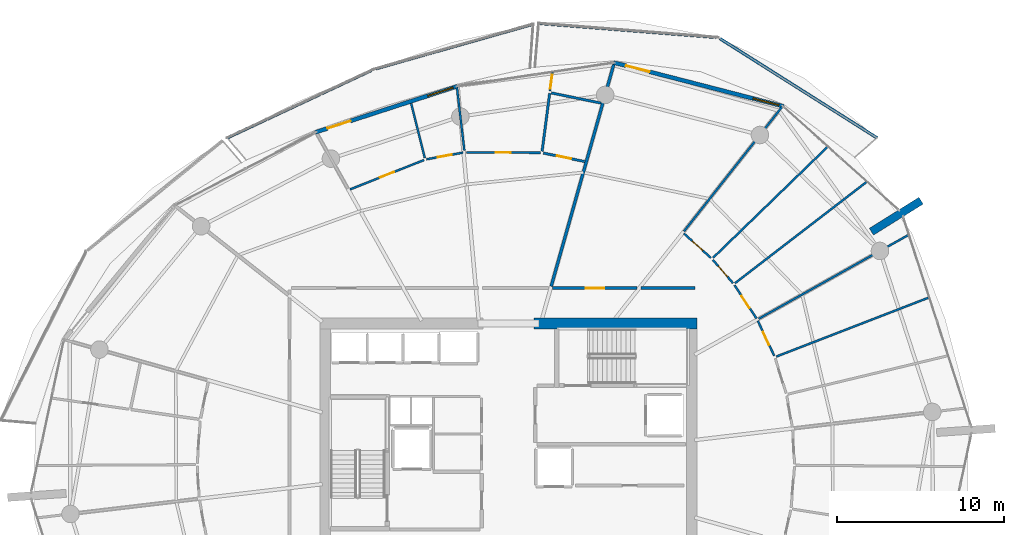
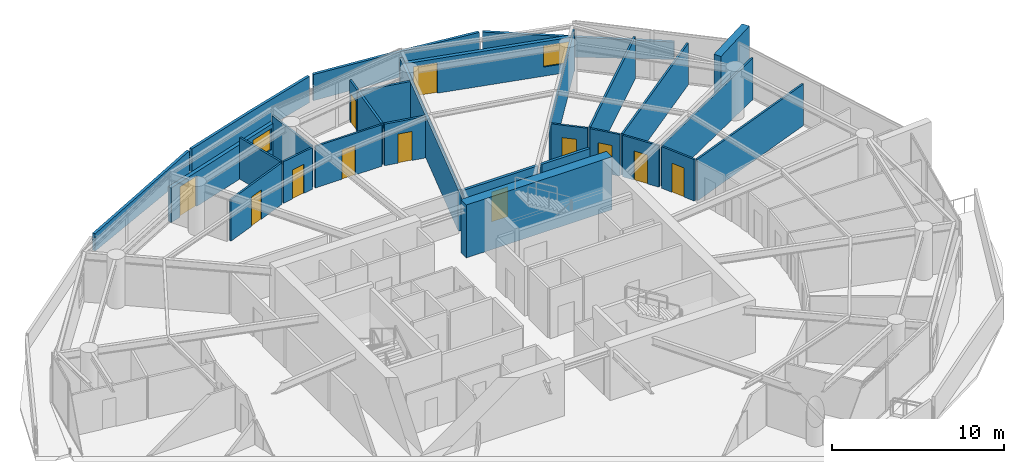
# One storey, part 15 of 21: 29 walls, 12 doors, 2 windows, 14 openings.
"""IFC4 building model written with IfcOpenShell, lengths in metres."""

from ifc_helpers import new_model, si_unit, direction, frame, frame_2d, origin, place, context, subcontext, project, spatial, polyline, rectangle, outline, extrude, material, layer, layer_set, type_object, element, fill, save


model = new_model("IFC4")

# Units and contexts
model_context = context("Model", 3, precision=1e-05, world=origin(), true_north=direction((0.0, 1.0)))
body_context = subcontext(model_context, "Body", "Model", "MODEL_VIEW")
ifc_project = project(units=[si_unit("LENGTHUNIT", "METRE"), si_unit("AREAUNIT", "SQUARE_METRE"), si_unit("VOLUMEUNIT", "CUBIC_METRE"), si_unit("PLANEANGLEUNIT", "RADIAN"), si_unit("MASSUNIT", "GRAM", prefix="KILO")], contexts=[model_context])

# Site, building, storey
site_placement = place(None, origin())
site = spatial("IfcSite", under=ifc_project, at=site_placement, CompositionType="ELEMENT")
building_placement = place(site_placement, origin())
building = spatial("IfcBuilding", under=site, at=building_placement, Name="Kazma Halo Residences", CompositionType="ELEMENT")
storey_placement = place(building_placement, frame((0.0, 0.0, 187.800048828125)))
storey = spatial("IfcBuildingStorey", under=building, at=storey_placement, Name="L47", CompositionType="ELEMENT", Elevation=187.800048828125)

# Walls
ifc_material_1 = material(Name="White Concrete C50/60 Balustrade", Category="concrete")
ifc_layer_1 = layer(ifc_material_1, 0.179931640625)
ifc_layer_set_1 = layer_set([ifc_layer_1], Name="White Concrete C50/60 Balustrade")
wall_type_1 = type_object("IfcWallType", Name="WL-BAL-WAVE-180", PredefinedType="PARAPET", material=ifc_layer_set_1)
wall_1_placement = place(storey_placement, frame((70.4599609375, 61.421142578125, 0.0), z_axis=(0.0, 0.0, 1.0), x_axis=(-0.845278126761, 0.53432657469, 0.0)))
element("IfcWall", 1, at=wall_1_placement, inside=storey, type_object=wall_type_1, Name="L47 white wave balustrade wall NE.1", PredefinedType="PARAPET", context=body_context, shape_type="SweptSolid", body=[
    extrude(outline(polyline([(0.0, 0.0), (11.123046875, 0.0), (11.123046875, 1.6318359375), (5.5615234375, 1.41796875), (0.0, 1.23291015625), (0.0, 0.0)])), frame((0.0, 0.08984375, 0.0), z_axis=(0.0, -1.0, 0.0), x_axis=(1.0, 0.0, 0.0)), (0.0, 0.0, 1.0), 0.179931640625),
])
wall_2_placement = place(storey_placement, frame((60.8369140625, 67.43798828125, 0.0), z_axis=(0.0, 0.0, 1.0), x_axis=(-0.996896537744, 0.078722887613, 0.0)))
element("IfcWall", 2, at=wall_2_placement, inside=storey, type_object=wall_type_1, Name="L47 white wave balustrade wall NE.2", PredefinedType="PARAPET", context=body_context, shape_type="SweptSolid", body=[
    extrude(outline(polyline([(0.0, 0.0), (10.640380859375, 0.0), (10.640380859375, 1.85986328125), (5.3203125, 1.7978515625), (0.0, 1.6318359375), (0.0, 0.0)])), frame((0.0, 0.08984375, 0.0), z_axis=(0.0, -1.0, 0.0), x_axis=(1.0, 0.0, 0.0)), (0.0, 0.0, 1.0), 0.179931640625),
])
wall_3_placement = place(storey_placement, frame((49.9033203125, 68.229736328125, 0.0), z_axis=(0.0, 0.0, 1.0), x_axis=(-0.962080224774, -0.272766642205, 0.0)))
element("IfcWall", 3, at=wall_3_placement, inside=storey, type_object=wall_type_1, Name="L47 white wave balustrade wall NNW.1", PredefinedType="PARAPET", context=body_context, shape_type="SweptSolid", body=[
    extrude(outline(polyline([(0.0, 0.0), (9.802734375, 0.0), (9.802490234375, 1.6318359375), (4.9013671875, 1.7978515625), (0.0, 1.85986328125), (0.0, 0.0)])), frame((0.0, 0.08984375, 0.0), z_axis=(0.0, -1.0, 0.0), x_axis=(1.0, 0.0, 0.0)), (0.0, 0.0, 1.0), 0.179931640625),
])
wall_4_placement = place(storey_placement, frame((40.248291015625, 65.472412109375, 0.0), z_axis=(0.0, 0.0, 1.0), x_axis=(-0.905654672332, -0.42401605451, 0.0)))
element("IfcWall", 4, at=wall_4_placement, inside=storey, type_object=wall_type_1, Name="L47 white wave balustrade wall NNW.2", PredefinedType="PARAPET", context=body_context, shape_type="SweptSolid", body=[
    extrude(outline(polyline([(0.0, 0.0), (9.537353515625, 0.0), (9.537109375, 1.23291015625), (4.7685546875, 1.41796875), (0.0, 1.6318359375), (0.0, 0.0)])), frame((0.0, 0.08984375, 0.0), z_axis=(0.0, -1.0, 0.0), x_axis=(1.0, 0.0, 0.0)), (0.0, 0.0, 1.0), 0.179931640625),
])
ifc_material_2 = material(Name="Pale Concrete C60/75", Category="concrete")
ifc_layer_2 = layer(ifc_material_2, 0.47998046875)
ifc_layer_set_2 = layer_set([ifc_layer_2], Name="Pale Concrete C60/75")
wall_type_2 = type_object("IfcWallType", Name="WL-BLADE-480", PredefinedType="SOLIDWALL", material=ifc_layer_set_2)
wall_5_placement = place(storey_placement, frame((70.11376953125, 55.818115234375, 0.0), z_axis=(0.0, 0.0, 1.0), x_axis=(0.848033572426, 0.529942506352, 0.0)))
element("IfcWall", 5, at=wall_5_placement, inside=storey, type_object=wall_type_2, Name="L47 pale concrete structural blade fin wall BW-01", PredefinedType="SOLIDWALL", context=body_context, shape_type="SweptSolid", body=[
    extrude(rectangle(XDim=3.5, YDim=0.47998046875, at=frame_2d((1.75, 0.0))), origin(), (0.0, 0.0, 1.0), 3.75),
])
ifc_material_3 = material(Name="Concrete C60/75", Category="concrete")
ifc_layer_3 = layer(ifc_material_3, 0.64990234375)
ifc_layer_set_3 = layer_set([ifc_layer_3], Name="Concrete C60/75")
wall_type_3 = type_object("IfcWallType", Name="WL-CORE-650", PredefinedType="SHEAR", material=ifc_layer_set_3)
wall_6_placement = place(storey_placement, frame((49.949951171875, 50.324951171875, 0.0), z_axis=(0.0, 0.0, 1.0), x_axis=(1.0, 0.0, 0.0)))
element("IfcWall", 6, at=wall_6_placement, inside=storey, type_object=wall_type_3, Name="L47 central core shear wall NE", PredefinedType="SHEAR", context=body_context, shape_type="SweptSolid", body=[
    extrude(rectangle(XDim=9.75, YDim=0.64990234375, at=frame_2d((4.875, 0.0))), origin(), (0.0, 0.0, 1.0), 3.75),
])
ifc_material_4 = material(Name="Acoustic Twin-Stud Gypsum")
ifc_layer_4 = layer(ifc_material_4, 0.179931640625)
ifc_layer_set_4 = layer_set([ifc_layer_4], Name="Acoustic Twin-Stud Gypsum")
wall_type_4 = type_object("IfcWallType", Name="WL-DEM-180", PredefinedType="PARTITIONING", material=ifc_layer_set_4)
wall_7_placement = place(storey_placement, frame((50.97705078125, 52.555908203125, 0.0), z_axis=(0.0, 0.0, 1.0), x_axis=(0.271443307373, 0.962454430548, 0.0)))
element("IfcWall", 7, at=wall_7_placement, inside=storey, type_object=wall_type_4, Name="L47 apartment demising radial wall 02", PredefinedType="PARTITIONING", context=body_context, shape_type="SweptSolid", body=[
    extrude(rectangle(XDim=13.75927734375, YDim=0.179931640625, at=frame_2d((6.879638671875, 0.0))), origin(), (0.0, 0.0, 1.0), 2.93994140625),
])

# Wall, opening, door
wall_8_placement = place(storey_placement, frame((56.1181640625, 52.449951171875, 0.0), z_axis=(0.0, 0.0, 1.0), x_axis=(-1.0, 0.0, 0.0)))
wall_8 = element("IfcWall", 8, at=wall_8_placement, inside=storey, type_object=wall_type_4, Name="L47 Apartment 3 entrance corridor wall", PredefinedType="PARTITIONING", context=body_context, shape_type="SweptSolid", body=[
    extrude(rectangle(XDim=5.051025390625, YDim=0.179931640625, at=frame_2d((2.525390625, 0.0))), origin(), (0.0, 0.0, 1.0), 2.93994140625),
])
opening_1_placement = place(wall_8_placement, frame((1.975341796875, 0.0, 0.0)))
opening_1 = element("IfcOpeningElement", 9, at=opening_1_placement, cuts=wall_8, Name="Opening DA-1100", PredefinedType="OPENING", context=body_context, shape_type="SweptSolid", body=[
    extrude(rectangle(XDim=1.10009765625, YDim=2.10009765625, at=frame_2d((0.550048828125, 1.050048828125))), frame((0.0, 0.099853515625, 0.0), z_axis=(0.0, -1.0, 0.0), x_axis=(1.0, 0.0, 0.0)), (0.0, 0.0, 1.0), 0.199951171875),
])
ifc_material_5 = material(Name="Acoustic Walnut Fire Leaf")
door_type_1 = type_object("IfcDoorType", Name="DR-FD60-1100", OperationType="NOTDEFINED", PredefinedType="DOOR", material=ifc_material_5)
door_1_placement = place(opening_1_placement, origin())
door_1 = element("IfcDoor", 10, at=door_1_placement, inside=storey, type_object=door_type_1, Name="L47 Apartment 3 entrance fire door", OperationType="SINGLE_SWING_LEFT", OverallHeight=2.10009765625, OverallWidth=1.10009765625, PredefinedType="DOOR", context=body_context, shape_type="SweptSolid", body=[
    extrude(rectangle(XDim=1.10009765625, YDim=2.10009765625, at=frame_2d((0.550048828125, 1.050048828125))), frame((0.0, 0.02490234375, 0.0), z_axis=(0.0, -1.0, 0.0), x_axis=(1.0, 0.0, 0.0)), (0.0, 0.0, 1.0), 0.050048828125),
])
fill(opening_1, door_1)

# Wall
wall_9_placement = place(storey_placement, frame((59.580078125, 52.449951171875, 0.0), z_axis=(0.0, 0.0, 1.0), x_axis=(-1.0, 0.0, 0.0)))
element("IfcWall", 11, at=wall_9_placement, inside=storey, type_object=wall_type_4, Name="L47 Apartment 3 inner wall 0", PredefinedType="PARTITIONING", context=body_context, shape_type="SweptSolid", body=[
    extrude(rectangle(XDim=3.221923828125, YDim=0.179931640625, at=frame_2d((1.61083984375, 0.0))), origin(), (0.0, 0.0, 1.0), 2.93994140625),
])

# Wall, openings, door, window
ifc_material_6 = material(Name="Insulated Pale-Metal Composite Wall")
ifc_layer_5 = layer(ifc_material_6, 0.239990234375)
ifc_layer_set_5 = layer_set([ifc_layer_5], Name="Insulated Pale-Metal Composite Wall")
wall_type_5 = type_object("IfcWallType", Name="WL-EXT-HOST-240", PredefinedType="SOLIDWALL", material=ifc_layer_set_5)
wall_10_placement = place(storey_placement, frame((64.860107421875, 63.31298828125, 0.0), z_axis=(0.0, 0.0, 1.0), x_axis=(-0.968374028006, 0.249502989727, 0.0)))
wall_10 = element("IfcWall", 12, at=wall_10_placement, inside=storey, type_object=wall_type_5, Name="L47 exterior terrace-access wall B02", PredefinedType="SOLIDWALL", context=body_context, shape_type="SweptSolid", body=[
    extrude(rectangle(XDim=10.494384765625, YDim=0.239990234375, at=frame_2d((5.2470703125, 0.0))), origin(), (0.0, 0.0, 1.0), 2.449951171875),
])
opening_2_placement = place(wall_10_placement, frame((8.2744140625, 0.0, 0.0)))
opening_2 = element("IfcOpeningElement", 13, at=opening_2_placement, cuts=wall_10, Name="Opening DTR-1600", PredefinedType="OPENING", context=body_context, shape_type="SweptSolid", body=[
    extrude(rectangle(XDim=1.449951171875, YDim=2.14990234375, at=frame_2d((0.72509765625, 1.074951171875))), frame((0.0, 0.1298828125, 0.0), z_axis=(0.0, -1.0, 0.0), x_axis=(1.0, 0.0, 0.0)), (0.0, 0.0, 1.0), 0.260009765625),
])
opening_3_placement = place(wall_10_placement, frame((0.280029296875, 0.0, 0.64990234375)))
opening_3 = element("IfcOpeningElement", 14, at=opening_3_placement, cuts=wall_10, Name="Opening W-1800", PredefinedType="OPENING", context=body_context, shape_type="SweptSolid", body=[
    extrude(rectangle(XDim=1.60009765625, YDim=1.5, at=frame_2d((0.800048828125, 0.75))), frame((0.0, 0.1298828125, 0.0), z_axis=(0.0, -1.0, 0.0), x_axis=(1.0, 0.0, 0.0)), (0.0, 0.0, 1.0), 0.260009765625),
])
ifc_material_7 = material(Name="Aluminium AW-6063 T6 Double-Glazed Terrace Door", Category="aluminium")
door_type_2 = type_object("IfcDoorType", Name="DR-EXT-TERR-1600", OperationType="NOTDEFINED", PredefinedType="DOOR", material=ifc_material_7)
door_2_placement = place(opening_2_placement, origin())
door_2 = element("IfcDoor", 15, at=door_2_placement, inside=storey, type_object=door_type_2, Name="L47 B02 balcony terrace door", OperationType="DOUBLE_DOOR_SLIDING", OverallHeight=2.14990234375, OverallWidth=1.449951171875, PredefinedType="DOOR", context=body_context, shape_type="SweptSolid", body=[
    extrude(rectangle(XDim=1.449951171875, YDim=2.14990234375, at=frame_2d((0.72509765625, 1.074951171875))), frame((0.0, 0.02490234375, 0.0), z_axis=(0.0, -1.0, 0.0), x_axis=(1.0, 0.0, 0.0)), (0.0, 0.0, 1.0), 0.050048828125),
])
fill(opening_2, door_2)
ifc_material_8 = material(Name="Clear Triple-Silver Low-E Glass in Aluminium AW-6063 T6 Frame", Category="aluminium")
window_type = type_object("IfcWindowType", Name="WIN-RES-1800", PartitioningType="DOUBLE_PANEL_VERTICAL", PredefinedType="WINDOW", material=ifc_material_8)
window_1_placement = place(opening_3_placement, origin())
window_1 = element("IfcWindow", 16, at=window_1_placement, inside=storey, type_object=window_type, Name="L47 B02 apartment window", OverallHeight=1.5, OverallWidth=1.60009765625, PartitioningType="SINGLE_PANEL", PredefinedType="WINDOW", context=body_context, shape_type="SweptSolid", body=[
    extrude(rectangle(XDim=1.60009765625, YDim=1.5, at=frame_2d((0.800048828125, 0.75))), frame((0.0, 0.030029296875, 0.0), z_axis=(0.0, -1.0, 0.0), x_axis=(1.0, 0.0, 0.0)), (0.0, 0.0, 1.0), 0.06005859375),
])
fill(opening_3, window_1)

wall_11_placement = place(storey_placement, frame((45.38427734375, 64.518798828125, 0.0), z_axis=(0.0, 0.0, 1.0), x_axis=(-0.951058543936, -0.309010753869, 0.0)))
wall_11 = element("IfcWall", 17, at=wall_11_placement, inside=storey, type_object=wall_type_5, Name="L47 exterior terrace-access wall B04", PredefinedType="SOLIDWALL", context=body_context, shape_type="SweptSolid", body=[
    extrude(rectangle(XDim=8.942138671875, YDim=0.239990234375, at=frame_2d((4.47119140625, 0.0))), origin(), (0.0, 0.0, 1.0), 2.449951171875),
])
opening_4_placement = place(wall_11_placement, frame((6.721923828125, 0.0, 0.0)))
opening_4 = element("IfcOpeningElement", 18, at=opening_4_placement, cuts=wall_11, Name="Opening DTR-1600", PredefinedType="OPENING", context=body_context, shape_type="SweptSolid", body=[
    extrude(rectangle(XDim=1.449951171875, YDim=2.14990234375, at=frame_2d((0.72509765625, 1.074951171875))), frame((0.0, 0.1298828125, 0.0), z_axis=(0.0, -1.0, 0.0), x_axis=(1.0, 0.0, 0.0)), (0.0, 0.0, 1.0), 0.260009765625),
])
opening_5_placement = place(wall_11_placement, frame((0.280029296875, 0.0, 0.64990234375)))
opening_5 = element("IfcOpeningElement", 19, at=opening_5_placement, cuts=wall_11, Name="Opening W-1800", PredefinedType="OPENING", context=body_context, shape_type="SweptSolid", body=[
    extrude(rectangle(XDim=1.60009765625, YDim=1.5, at=frame_2d((0.800048828125, 0.75))), frame((0.0, 0.1298828125, 0.0), z_axis=(0.0, -1.0, 0.0), x_axis=(1.0, 0.0, 0.0)), (0.0, 0.0, 1.0), 0.260009765625),
])
door_3_placement = place(opening_4_placement, origin())
door_3 = element("IfcDoor", 20, at=door_3_placement, inside=storey, type_object=door_type_2, Name="L47 B04 balcony terrace door", OperationType="DOUBLE_DOOR_SLIDING", OverallHeight=2.14990234375, OverallWidth=1.449951171875, PredefinedType="DOOR", context=body_context, shape_type="SweptSolid", body=[
    extrude(rectangle(XDim=1.449951171875, YDim=2.14990234375, at=frame_2d((0.72509765625, 1.074951171875))), frame((0.0, 0.02490234375, 0.0), z_axis=(0.0, -1.0, 0.0), x_axis=(1.0, 0.0, 0.0)), (0.0, 0.0, 1.0), 0.050048828125),
])
fill(opening_4, door_3)
window_2_placement = place(opening_5_placement, origin())
window_2 = element("IfcWindow", 21, at=window_2_placement, inside=storey, type_object=window_type, Name="L47 B04 apartment window", OverallHeight=1.5, OverallWidth=1.60009765625, PartitioningType="SINGLE_PANEL", PredefinedType="WINDOW", context=body_context, shape_type="SweptSolid", body=[
    extrude(rectangle(XDim=1.60009765625, YDim=1.5, at=frame_2d((0.800048828125, 0.75))), frame((0.0, 0.030029296875, 0.0), z_axis=(0.0, -1.0, 0.0), x_axis=(1.0, 0.0, 0.0)), (0.0, 0.0, 1.0), 0.06005859375),
])
fill(opening_5, window_2)

# Wall, opening, door
ifc_material_9 = material(Name="Gypsum Plasterboard Partition")
ifc_layer_6 = layer(ifc_material_9, 0.125)
ifc_layer_set_6 = layer_set([ifc_layer_6], Name="Gypsum Plasterboard Partition")
wall_type_6 = type_object("IfcWallType", Name="WL-PART-125", PredefinedType="PARTITIONING", material=ifc_layer_set_6)
wall_12_placement = place(storey_placement, frame((50.90478515625, 64.221923828125, 0.0), z_axis=(0.0, 0.0, 1.0), x_axis=(0.129607883109, 0.991565326459, 0.0)))
wall_12 = element("IfcWall", 22, at=wall_12_placement, inside=storey, type_object=wall_type_6, Name="L47 Apartment 1 Utility Laundry Room partition wall", PredefinedType="PARTITIONING", context=body_context, shape_type="SweptSolid", body=[
    extrude(rectangle(XDim=1.12646484375, YDim=0.125, at=frame_2d((0.563232421875, 0.0))), origin(), (0.0, 0.0, 1.0), 2.93994140625),
])
opening_6_placement = place(wall_12_placement, frame((0.13818359375, 0.0, 0.0)))
opening_6 = element("IfcOpeningElement", 23, at=opening_6_placement, cuts=wall_12, Name="Opening DB-900", PredefinedType="OPENING", context=body_context, shape_type="SweptSolid", body=[
    extrude(rectangle(XDim=0.85009765625, YDim=2.06005859375, at=frame_2d((0.425048828125, 1.030029296875))), frame((0.0, 0.072509765625, 0.0), z_axis=(0.0, -1.0, 0.0), x_axis=(1.0, 0.0, 0.0)), (0.0, 0.0, 1.0), 0.14501953125),
])
ifc_material_10 = material(Name="Moisture-Sealed Timber Leaf", Category="wood")
door_type_3 = type_object("IfcDoorType", Name="DR-BTH-900", OperationType="NOTDEFINED", PredefinedType="DOOR", material=ifc_material_10)
door_4_placement = place(opening_6_placement, origin())
door_4 = element("IfcDoor", 24, at=door_4_placement, inside=storey, type_object=door_type_3, Name="L47 Apartment 1 Utility Laundry Room door", OperationType="SINGLE_SWING_LEFT", OverallHeight=2.06005859375, OverallWidth=0.85009765625, PredefinedType="DOOR", context=body_context, shape_type="SweptSolid", body=[
    extrude(rectangle(XDim=0.85009765625, YDim=2.06005859375, at=frame_2d((0.425048828125, 1.030029296875))), frame((0.0, 0.02490234375, 0.0), z_axis=(0.0, -1.0, 0.0), x_axis=(1.0, 0.0, 0.0)), (0.0, 0.0, 1.0), 0.050048828125),
])
fill(opening_6, door_4)

wall_13_placement = place(storey_placement, frame((50.3330078125, 60.536865234375, 0.0), z_axis=(0.0, 0.0, 1.0), x_axis=(-0.999981626936, 0.006061830649, 0.0)))
wall_13 = element("IfcWall", 25, at=wall_13_placement, inside=storey, type_object=wall_type_6, Name="L47 Apartment 1 Gourmet Kitchen hall wall", PredefinedType="PARTITIONING", context=body_context, shape_type="SweptSolid", body=[
    extrude(rectangle(XDim=4.43017578125, YDim=0.125, at=frame_2d((2.215087890625, 0.0))), origin(), (0.0, 0.0, 1.0), 2.93994140625),
])
opening_7_placement = place(wall_13_placement, frame((1.76513671875, 0.0, 0.0)))
opening_7 = element("IfcOpeningElement", 26, at=opening_7_placement, cuts=wall_13, Name="Opening DI-950", PredefinedType="OPENING", context=body_context, shape_type="SweptSolid", body=[
    extrude(rectangle(XDim=0.89990234375, YDim=2.080078125, at=frame_2d((0.449951171875, 1.0400390625))), frame((0.0, 0.072509765625, 0.0), z_axis=(0.0, -1.0, 0.0), x_axis=(1.0, 0.0, 0.0)), (0.0, 0.0, 1.0), 0.14501953125),
])
ifc_material_11 = material(Name="Timber Veneer Flush Leaf", Category="wood")
door_type_4 = type_object("IfcDoorType", Name="DR-INT-950", OperationType="NOTDEFINED", PredefinedType="DOOR", material=ifc_material_11)
door_5_placement = place(opening_7_placement, origin())
door_5 = element("IfcDoor", 27, at=door_5_placement, inside=storey, type_object=door_type_4, Name="L47 Apartment 1 Gourmet Kitchen door", OperationType="SINGLE_SWING_RIGHT", OverallHeight=2.080078125, OverallWidth=0.89990234375, PredefinedType="DOOR", context=body_context, shape_type="SweptSolid", body=[
    extrude(rectangle(XDim=0.89990234375, YDim=2.080078125, at=frame_2d((0.449951171875, 1.0400390625))), frame((0.0, 0.02490234375, 0.0), z_axis=(0.0, -1.0, 0.0), x_axis=(1.0, 0.0, 0.0)), (0.0, 0.0, 1.0), 0.050048828125),
])
fill(opening_7, door_5)

# Walls
wall_14_placement = place(storey_placement, frame((45.791015625, 60.663818359375, 0.0), z_axis=(0.0, 0.0, 1.0), x_axis=(-0.117516047916, 0.993070983607, 0.0)))
element("IfcWall", 28, at=wall_14_placement, inside=storey, type_object=wall_type_6, Name="L47 Apartment 1 radial partition 3", PredefinedType="PARTITIONING", context=body_context, shape_type="SweptSolid", body=[
    extrude(rectangle(XDim=3.84130859375, YDim=0.125, at=frame_2d((1.920654296875, 0.0))), origin(), (0.0, 0.0, 1.0), 2.93994140625),
])
wall_15_placement = place(storey_placement, frame((43.4287109375, 60.21923828125, 0.0), z_axis=(0.0, 0.0, 1.0), x_axis=(-0.243337157577, 0.969941765129, 0.0)))
element("IfcWall", 29, at=wall_15_placement, inside=storey, type_object=wall_type_6, Name="L47 Apartment 1 mid-bay wall 3", PredefinedType="PARTITIONING", context=body_context, shape_type="SweptSolid", body=[
    extrude(rectangle(XDim=3.3681640625, YDim=0.125, at=frame_2d((1.68408203125, 0.0))), origin(), (0.0, 0.0, 1.0), 2.93994140625),
])

# Wall, opening, door
wall_16_placement = place(storey_placement, frame((45.704345703125, 60.54638671875, 0.0), z_axis=(0.0, 0.0, 1.0), x_axis=(-0.983514725563, -0.180828052584, 0.0)))
wall_16 = element("IfcWall", 30, at=wall_16_placement, inside=storey, type_object=wall_type_6, Name="L47 Apartment 1 Primary Bedroom hall wall", PredefinedType="PARTITIONING", context=body_context, shape_type="SweptSolid", body=[
    extrude(rectangle(XDim=2.21142578125, YDim=0.125, at=frame_2d((1.105712890625, 0.0))), origin(), (0.0, 0.0, 1.0), 2.93994140625),
])
opening_8_placement = place(wall_16_placement, frame((0.680908203125, 0.0, 0.0)))
opening_8 = element("IfcOpeningElement", 31, at=opening_8_placement, cuts=wall_16, Name="Opening DB-900", PredefinedType="OPENING", context=body_context, shape_type="SweptSolid", body=[
    extrude(rectangle(XDim=0.85009765625, YDim=2.06005859375, at=frame_2d((0.425048828125, 1.030029296875))), frame((0.0, 0.072509765625, 0.0), z_axis=(0.0, -1.0, 0.0), x_axis=(1.0, 0.0, 0.0)), (0.0, 0.0, 1.0), 0.14501953125),
])
door_6_placement = place(opening_8_placement, origin())
door_6 = element("IfcDoor", 32, at=door_6_placement, inside=storey, type_object=door_type_3, Name="L47 Apartment 1 Primary Bedroom door", OperationType="SINGLE_SWING_LEFT", OverallHeight=2.06005859375, OverallWidth=0.85009765625, PredefinedType="DOOR", context=body_context, shape_type="SweptSolid", body=[
    extrude(rectangle(XDim=0.85009765625, YDim=2.06005859375, at=frame_2d((0.425048828125, 1.030029296875))), frame((0.0, 0.02490234375, 0.0), z_axis=(0.0, -1.0, 0.0), x_axis=(1.0, 0.0, 0.0)), (0.0, 0.0, 1.0), 0.050048828125),
])
fill(opening_8, door_6)

wall_17_placement = place(storey_placement, frame((43.376220703125, 60.1025390625, 0.0), z_axis=(0.0, 0.0, 1.0), x_axis=(-0.92934194707, -0.369220185548, 0.0)))
wall_17 = element("IfcWall", 33, at=wall_17_placement, inside=storey, type_object=wall_type_6, Name="L47 Apartment 1 Secondary Bedroom hall wall", PredefinedType="PARTITIONING", context=body_context, shape_type="SweptSolid", body=[
    extrude(rectangle(XDim=4.753662109375, YDim=0.125, at=frame_2d((2.376953125, 0.0))), origin(), (0.0, 0.0, 1.0), 2.93994140625),
])
opening_9_placement = place(wall_17_placement, frame((1.9267578125, 0.0, 0.0)))
opening_9 = element("IfcOpeningElement", 34, at=opening_9_placement, cuts=wall_17, Name="Opening DI-950", PredefinedType="OPENING", context=body_context, shape_type="SweptSolid", body=[
    extrude(rectangle(XDim=0.89990234375, YDim=2.080078125, at=frame_2d((0.449951171875, 1.0400390625))), frame((0.0, 0.072509765625, 0.0), z_axis=(0.0, -1.0, 0.0), x_axis=(1.0, 0.0, 0.0)), (0.0, 0.0, 1.0), 0.14501953125),
])
door_7_placement = place(opening_9_placement, origin())
door_7 = element("IfcDoor", 35, at=door_7_placement, inside=storey, type_object=door_type_4, Name="L47 Apartment 1 Secondary Bedroom door", OperationType="SINGLE_SWING_RIGHT", OverallHeight=2.080078125, OverallWidth=0.89990234375, PredefinedType="DOOR", context=body_context, shape_type="SweptSolid", body=[
    extrude(rectangle(XDim=0.89990234375, YDim=2.080078125, at=frame_2d((0.449951171875, 1.0400390625))), frame((0.0, 0.02490234375, 0.0), z_axis=(0.0, -1.0, 0.0), x_axis=(1.0, 0.0, 0.0)), (0.0, 0.0, 1.0), 0.050048828125),
])
fill(opening_9, door_7)

# Wall
wall_18_placement = place(storey_placement, frame((64.430419921875, 48.3564453125, 0.0), z_axis=(0.0, 0.0, 1.0), x_axis=(0.932640168577, 0.360807865709, 0.0)))
element("IfcWall", 36, at=wall_18_placement, inside=storey, type_object=wall_type_6, Name="L47 Apartment 3 bay wall 2 15", PredefinedType="PARTITIONING", context=body_context, shape_type="SweptSolid", body=[
    extrude(rectangle(XDim=9.782958984375, YDim=0.125, at=frame_2d((4.8916015625, 0.0))), origin(), (0.0, 0.0, 1.0), 2.93994140625),
])

# Wall, opening, door
wall_19_placement = place(storey_placement, frame((64.312255859375, 48.396240234375, 0.0), z_axis=(0.0, 0.0, 1.0), x_axis=(-0.425705646023, 0.904861703767, 0.0)))
wall_19 = element("IfcWall", 37, at=wall_19_placement, inside=storey, type_object=wall_type_6, Name="L47 Apartment 3 Secondary Bedroom hall wall", PredefinedType="PARTITIONING", context=body_context, shape_type="SweptSolid", body=[
    extrude(rectangle(XDim=2.315673828125, YDim=0.125, at=frame_2d((1.15771484375, 0.0))), origin(), (0.0, 0.0, 1.0), 2.93994140625),
])
opening_10_placement = place(wall_19_placement, frame((0.73291015625, 0.0, 0.0)))
opening_10 = element("IfcOpeningElement", 38, at=opening_10_placement, cuts=wall_19, Name="Opening DB-900", PredefinedType="OPENING", context=body_context, shape_type="SweptSolid", body=[
    extrude(rectangle(XDim=0.85009765625, YDim=2.06005859375, at=frame_2d((0.425048828125, 1.030029296875))), frame((0.0, 0.072509765625, 0.0), z_axis=(0.0, -1.0, 0.0), x_axis=(1.0, 0.0, 0.0)), (0.0, 0.0, 1.0), 0.14501953125),
])
door_8_placement = place(opening_10_placement, origin())
door_8 = element("IfcDoor", 39, at=door_8_placement, inside=storey, type_object=door_type_3, Name="L47 Apartment 3 Secondary Bedroom door", OperationType="SINGLE_SWING_RIGHT", OverallHeight=2.06005859375, OverallWidth=0.85009765625, PredefinedType="DOOR", context=body_context, shape_type="SweptSolid", body=[
    extrude(rectangle(XDim=0.85009765625, YDim=2.06005859375, at=frame_2d((0.425048828125, 1.030029296875))), frame((0.0, 0.02490234375, 0.0), z_axis=(0.0, -1.0, 0.0), x_axis=(1.0, 0.0, 0.0)), (0.0, 0.0, 1.0), 0.050048828125),
])
fill(opening_10, door_8)

# Walls
wall_20_placement = place(storey_placement, frame((63.37939453125, 50.613037109375, 0.0), z_axis=(0.0, 0.0, 1.0), x_axis=(0.872503583261, 0.488607712994, 0.0)))
element("IfcWall", 40, at=wall_20_placement, inside=storey, type_object=wall_type_6, Name="L47 Apartment 3 radial partition 0", PredefinedType="PARTITIONING", context=body_context, shape_type="SweptSolid", body=[
    extrude(rectangle(XDim=10.26806640625, YDim=0.125, at=frame_2d((5.134033203125, 0.0))), origin(), (0.0, 0.0, 1.0), 2.93994140625),
])
wall_21_placement = place(storey_placement, frame((58.912841796875, 55.8427734375, 0.0), z_axis=(0.0, 0.0, 1.0), x_axis=(0.619083548323, 0.785325130246, 0.0)))
element("IfcWall", 41, at=wall_21_placement, inside=storey, type_object=wall_type_6, Name="L47 Apartment 3 living radial partition 0", PredefinedType="PARTITIONING", context=body_context, shape_type="SweptSolid", body=[
    extrude(rectangle(XDim=9.503173828125, YDim=0.125, at=frame_2d((4.75146484375, 0.0))), origin(), (0.0, 0.0, 1.0), 2.93994140625),
])
wall_22_placement = place(storey_placement, frame((61.96240234375, 52.742919921875, 0.0), z_axis=(0.0, 0.0, 1.0), x_axis=(0.792560870927, 0.609792805693, 0.0)))
element("IfcWall", 42, at=wall_22_placement, inside=storey, type_object=wall_type_6, Name="L47 Apartment 3 bay wall 1 0", PredefinedType="PARTITIONING", context=body_context, shape_type="SweptSolid", body=[
    extrude(rectangle(XDim=9.92236328125, YDim=0.125, at=frame_2d((4.961181640625, 0.0))), origin(), (0.0, 0.0, 1.0), 2.93994140625),
])
wall_23_placement = place(storey_placement, frame((60.651123046875, 54.260009765625, 0.0), z_axis=(0.0, 0.0, 1.0), x_axis=(0.718131329051, 0.695907604669, 0.0)))
element("IfcWall", 43, at=wall_23_placement, inside=storey, type_object=wall_type_6, Name="L47 Apartment 3 bay wall 2 0", PredefinedType="PARTITIONING", context=body_context, shape_type="SweptSolid", body=[
    extrude(rectangle(XDim=9.5244140625, YDim=0.125, at=frame_2d((4.76220703125, 0.0))), origin(), (0.0, 0.0, 1.0), 2.93994140625),
])

# Wall, opening, door
wall_24_placement = place(storey_placement, frame((63.248046875, 50.630859375, 0.0), z_axis=(0.0, 0.0, 1.0), x_axis=(-0.550605373428, 0.834765669366, 0.0)))
wall_24 = element("IfcWall", 44, at=wall_24_placement, inside=storey, type_object=wall_type_6, Name="L47 Apartment 3 East Bedroom hall wall", PredefinedType="PARTITIONING", context=body_context, shape_type="SweptSolid", body=[
    extrude(rectangle(XDim=2.38427734375, YDim=0.125, at=frame_2d((1.192138671875, 0.0))), origin(), (0.0, 0.0, 1.0), 2.93994140625),
])
opening_11_placement = place(wall_24_placement, frame((0.76708984375, 0.0, 0.0)))
opening_11 = element("IfcOpeningElement", 45, at=opening_11_placement, cuts=wall_24, Name="Opening DB-900", PredefinedType="OPENING", context=body_context, shape_type="SweptSolid", body=[
    extrude(rectangle(XDim=0.85009765625, YDim=2.06005859375, at=frame_2d((0.425048828125, 1.030029296875))), frame((0.0, 0.072509765625, 0.0), z_axis=(0.0, -1.0, 0.0), x_axis=(1.0, 0.0, 0.0)), (0.0, 0.0, 1.0), 0.14501953125),
])
door_9_placement = place(opening_11_placement, origin())
door_9 = element("IfcDoor", 46, at=door_9_placement, inside=storey, type_object=door_type_3, Name="L47 Apartment 3 East Bedroom door", OperationType="SINGLE_SWING_LEFT", OverallHeight=2.06005859375, OverallWidth=0.85009765625, PredefinedType="DOOR", context=body_context, shape_type="SweptSolid", body=[
    extrude(rectangle(XDim=0.85009765625, YDim=2.06005859375, at=frame_2d((0.425048828125, 1.030029296875))), frame((0.0, 0.02490234375, 0.0), z_axis=(0.0, -1.0, 0.0), x_axis=(1.0, 0.0, 0.0)), (0.0, 0.0, 1.0), 0.050048828125),
])
fill(opening_11, door_9)

wall_25_placement = place(storey_placement, frame((61.8388671875, 52.74853515625, 0.0), z_axis=(0.0, 0.0, 1.0), x_axis=(-0.653952359422, 0.756535730555, 0.0)))
wall_25 = element("IfcWall", 47, at=wall_25_placement, inside=storey, type_object=wall_type_6, Name="L47 Apartment 3 West Study hall wall", PredefinedType="PARTITIONING", context=body_context, shape_type="SweptSolid", body=[
    extrude(rectangle(XDim=1.8349609375, YDim=0.125, at=frame_2d((0.91748046875, 0.0))), origin(), (0.0, 0.0, 1.0), 2.93994140625),
])
opening_12_placement = place(wall_25_placement, frame((0.492431640625, 0.0, 0.0)))
opening_12 = element("IfcOpeningElement", 48, at=opening_12_placement, cuts=wall_25, Name="Opening DB-900", PredefinedType="OPENING", context=body_context, shape_type="SweptSolid", body=[
    extrude(rectangle(XDim=0.85009765625, YDim=2.06005859375, at=frame_2d((0.425048828125, 1.030029296875))), frame((0.0, 0.072509765625, 0.0), z_axis=(0.0, -1.0, 0.0), x_axis=(1.0, 0.0, 0.0)), (0.0, 0.0, 1.0), 0.14501953125),
])
door_10_placement = place(opening_12_placement, origin())
door_10 = element("IfcDoor", 49, at=door_10_placement, inside=storey, type_object=door_type_3, Name="L47 Apartment 3 West Study door", OperationType="SINGLE_SWING_RIGHT", OverallHeight=2.06005859375, OverallWidth=0.85009765625, PredefinedType="DOOR", context=body_context, shape_type="SweptSolid", body=[
    extrude(rectangle(XDim=0.85009765625, YDim=2.06005859375, at=frame_2d((0.425048828125, 1.030029296875))), frame((0.0, 0.02490234375, 0.0), z_axis=(0.0, -1.0, 0.0), x_axis=(1.0, 0.0, 0.0)), (0.0, 0.0, 1.0), 0.050048828125),
])
fill(opening_12, door_10)

wall_26_placement = place(storey_placement, frame((60.527099609375, 54.2509765625, 0.0), z_axis=(0.0, 0.0, 1.0), x_axis=(-0.742223129556, 0.670152837755, 0.0)))
wall_26 = element("IfcWall", 50, at=wall_26_placement, inside=storey, type_object=wall_type_6, Name="L47 Apartment 3 North Bedroom hall wall", PredefinedType="PARTITIONING", context=body_context, shape_type="SweptSolid", body=[
    extrude(rectangle(XDim=2.17822265625, YDim=0.125, at=frame_2d((1.089111328125, 0.0))), origin(), (0.0, 0.0, 1.0), 2.93994140625),
])
opening_13_placement = place(wall_26_placement, frame((0.664306640625, 0.0, 0.0)))
opening_13 = element("IfcOpeningElement", 51, at=opening_13_placement, cuts=wall_26, Name="Opening DB-900", PredefinedType="OPENING", context=body_context, shape_type="SweptSolid", body=[
    extrude(rectangle(XDim=0.85009765625, YDim=2.06005859375, at=frame_2d((0.425048828125, 1.030029296875))), frame((0.0, 0.072509765625, 0.0), z_axis=(0.0, -1.0, 0.0), x_axis=(1.0, 0.0, 0.0)), (0.0, 0.0, 1.0), 0.14501953125),
])
door_11_placement = place(opening_13_placement, origin())
door_11 = element("IfcDoor", 52, at=door_11_placement, inside=storey, type_object=door_type_3, Name="L47 Apartment 3 North Bedroom door", OperationType="SINGLE_SWING_LEFT", OverallHeight=2.06005859375, OverallWidth=0.85009765625, PredefinedType="DOOR", context=body_context, shape_type="SweptSolid", body=[
    extrude(rectangle(XDim=0.85009765625, YDim=2.06005859375, at=frame_2d((0.425048828125, 1.030029296875))), frame((0.0, 0.02490234375, 0.0), z_axis=(0.0, -1.0, 0.0), x_axis=(1.0, 0.0, 0.0)), (0.0, 0.0, 1.0), 0.050048828125),
])
fill(opening_13, door_11)

ifc_material_12 = material(Name="Moisture-Resistant Gypsum")
ifc_layer_7 = layer(ifc_material_12, 0.14990234375)
ifc_layer_set_7 = layer_set([ifc_layer_7], Name="Moisture-Resistant Gypsum")
wall_type_7 = type_object("IfcWallType", Name="WL-WET-150", PredefinedType="PARTITIONING", material=ifc_layer_set_7)
wall_27_placement = place(storey_placement, frame((52.976318359375, 60.01220703125, 0.0), z_axis=(0.0, 0.0, 1.0), x_axis=(-0.979567919456, 0.201113627516, 0.0)))
wall_27 = element("IfcWall", 53, at=wall_27_placement, inside=storey, type_object=wall_type_7, Name="L47 Apartment 1 Guest Bathroom hall wall", PredefinedType="PARTITIONING", context=body_context, shape_type="SweptSolid", body=[
    extrude(rectangle(XDim=2.5166015625, YDim=0.14990234375, at=frame_2d((1.25830078125, 0.0))), origin(), (0.0, 0.0, 1.0), 2.93994140625),
])
opening_14_placement = place(wall_27_placement, frame((0.833251953125, 0.0, 0.0)))
opening_14 = element("IfcOpeningElement", 54, at=opening_14_placement, cuts=wall_27, Name="Opening DB-900", PredefinedType="OPENING", context=body_context, shape_type="SweptSolid", body=[
    extrude(rectangle(XDim=0.85009765625, YDim=2.06005859375, at=frame_2d((0.425048828125, 1.030029296875))), frame((0.0, 0.0849609375, 0.0), z_axis=(0.0, -1.0, 0.0), x_axis=(1.0, 0.0, 0.0)), (0.0, 0.0, 1.0), 0.169921875),
])
door_12_placement = place(opening_14_placement, origin())
door_12 = element("IfcDoor", 55, at=door_12_placement, inside=storey, type_object=door_type_3, Name="L47 Apartment 1 Guest Bathroom door", OperationType="SINGLE_SWING_RIGHT", OverallHeight=2.06005859375, OverallWidth=0.85009765625, PredefinedType="DOOR", context=body_context, shape_type="SweptSolid", body=[
    extrude(rectangle(XDim=0.85009765625, YDim=2.06005859375, at=frame_2d((0.425048828125, 1.030029296875))), frame((0.0, 0.02490234375, 0.0), z_axis=(0.0, -1.0, 0.0), x_axis=(1.0, 0.0, 0.0)), (0.0, 0.0, 1.0), 0.050048828125),
])
fill(opening_14, door_12)

# Walls
wall_28_placement = place(storey_placement, frame((53.960693359375, 63.503173828125, 0.0), z_axis=(0.0, 0.0, 1.0), x_axis=(-0.979589733131, 0.201007349976, 0.0)))
element("IfcWall", 56, at=wall_28_placement, inside=storey, type_object=wall_type_7, Name="L47 Apartment 1 Guest Bathroom back wall", PredefinedType="PARTITIONING", context=body_context, shape_type="SweptSolid", body=[
    extrude(rectangle(XDim=3.041259765625, YDim=0.14990234375, at=frame_2d((1.5205078125, 0.0))), origin(), (0.0, 0.0, 1.0), 2.93994140625),
])
wall_29_placement = place(storey_placement, frame((50.434814453125, 60.62548828125, 0.0), z_axis=(0.0, 0.0, 1.0), x_axis=(0.129574965198, 0.991569628616, 0.0)))
element("IfcWall", 57, at=wall_29_placement, inside=storey, type_object=wall_type_7, Name="L47 Apartment 1 Guest Bathroom side wall", PredefinedType="PARTITIONING", context=body_context, shape_type="SweptSolid", body=[
    extrude(rectangle(XDim=3.4970703125, YDim=0.14990234375, at=frame_2d((1.74853515625, 0.0))), origin(), (0.0, 0.0, 1.0), 2.93994140625),
])

save(model, "model.ifc")
